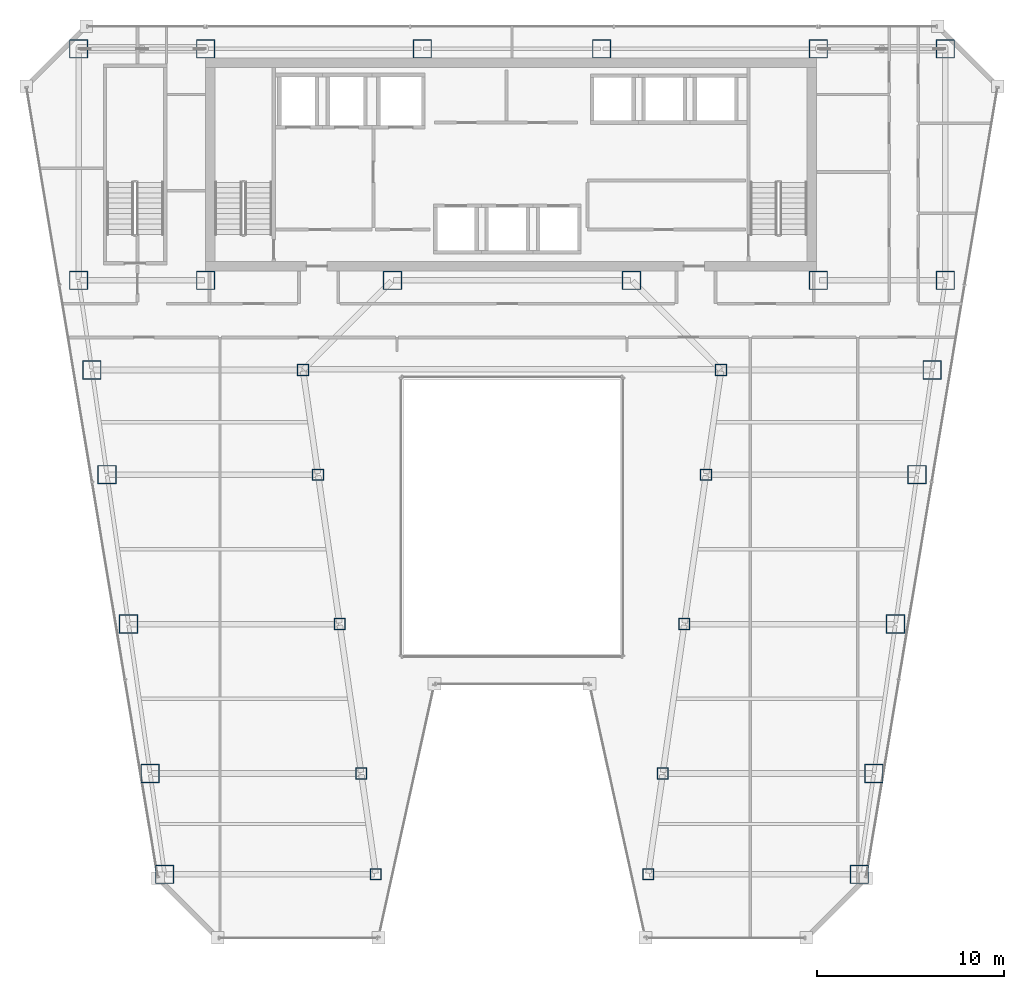
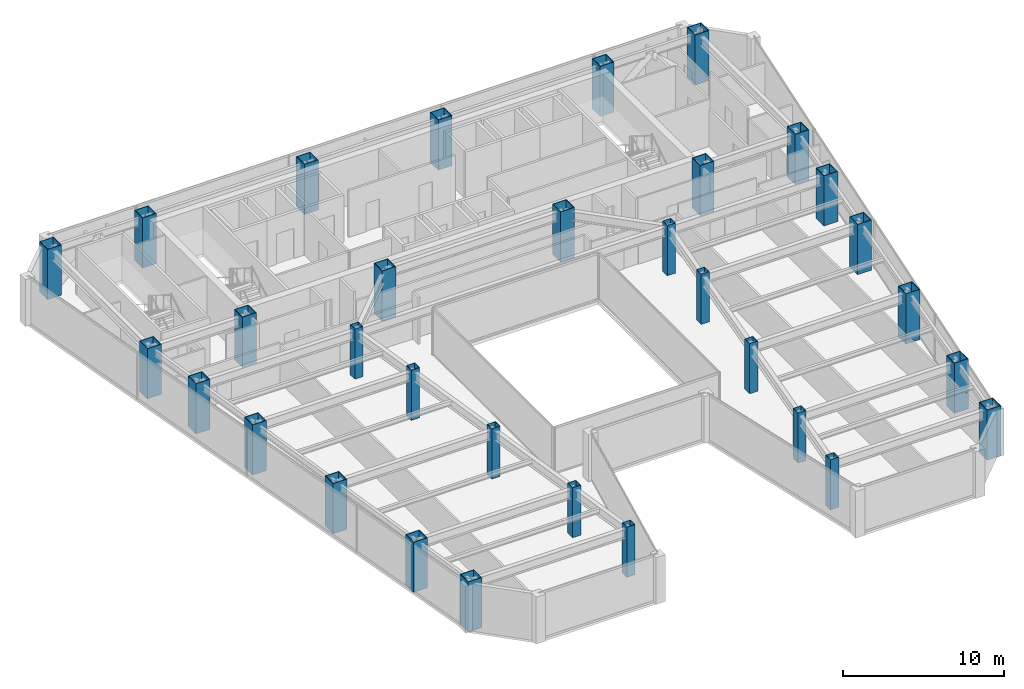
# One storey, part 1 of 36: 32 columns.
"""IFC4 building model written with IfcOpenShell, lengths in metres."""

from ifc_helpers import new_model, si_unit, direction, frame, origin, origin_2d, place, context, subcontext, project, spatial, hollow_rectangle, extrude, material, material_profile, profile_set, type_object, element, save


model = new_model("IFC4")

# Units and contexts
model_context = context("Model", 3, precision=1e-05, world=origin(), true_north=direction((0.0, 1.0)))
body_context = subcontext(model_context, "Body", "Model", "MODEL_VIEW")
ifc_project = project(units=[si_unit("LENGTHUNIT", "METRE"), si_unit("AREAUNIT", "SQUARE_METRE"), si_unit("VOLUMEUNIT", "CUBIC_METRE"), si_unit("PLANEANGLEUNIT", "RADIAN"), si_unit("MASSUNIT", "GRAM", prefix="KILO")], contexts=[model_context])

# Site, building, storey
site_placement = place(None, origin())
site = spatial("IfcSite", under=ifc_project, at=site_placement, CompositionType="ELEMENT")
building_placement = place(site_placement, origin())
building = spatial("IfcBuilding", under=site, at=building_placement, Name="Saevonmaru Cultural Tower", CompositionType="ELEMENT")
storey_placement = place(building_placement, frame((0.0, 0.0, 152.39990234375)))
storey = spatial("IfcBuildingStorey", under=building, at=storey_placement, Name="L33", CompositionType="ELEMENT", Elevation=152.39990234375)

# Columns
ifc_material_1 = material(Name="Steel SM420", Category="steel")
ifc_material_profile_1 = material_profile(ifc_material_1, hollow_rectangle(XDim=1.0, YDim=1.0, WallThickness=0.044921875, at=origin_2d()), Name="BOX-1000x1000x45")
ifc_profile_set_1 = profile_set([ifc_material_profile_1], Name="Steel SM420")
column_type_1 = type_object("IfcColumnType", Name="COL-BOX-1000", PredefinedType="COLUMN", material=ifc_profile_set_1)
for number, where, z_axis, x_axis, name in (
    (1, (6.800048828125, 54.800048828125, 0.0), (0.0, 0.0, 1.0), (1.0, 0.0, 0.0), "L33 Column TC-N1N"),
    (2, (13.60009765625, 54.800048828125, 0.0), (0.0, 0.0, 1.0), (1.0, 0.0, 0.0), "L33 Column TC-N2N"),
    (3, (25.199951171875, 54.800048828125, 0.0), (0.0, 0.0, 1.0), (1.0, 0.0, 0.0), "L33 Column TC-N3N"),
    (4, (34.800048828125, 54.800048828125, 0.0), (0.0, 0.0, 1.0), (1.0, 0.0, 0.0), "L33 Column TC-N4N"),
    (5, (46.39990234375, 54.800048828125, 0.0), (0.0, 0.0, 1.0), (1.0, 0.0, 0.0), "L33 Column TC-N5N"),
    (6, (53.199951171875, 54.800048828125, 0.0), (0.0, 0.0, 1.0), (1.0, 0.0, 0.0), "L33 Column TC-N6N"),
    (7, (6.800048828125, 42.39990234375, 0.0), (0.0, 0.0, 1.0), (1.0, 0.0, 0.0), "L33 Column TC-S1C"),
    (8, (13.60009765625, 42.39990234375, 0.0), (0.0, 0.0, 1.0), (1.0, 0.0, 0.0), "L33 Column TC-S2C"),
    (9, (23.60009765625, 42.39990234375, 0.0), (0.0, 0.0, 1.0), (1.0, 0.0, 0.0), "L33 Column TC-S3C"),
    (10, (36.39990234375, 42.39990234375, 0.0), (0.0, 0.0, 1.0), (1.0, 0.0, 0.0), "L33 Column TC-S4C"),
    (11, (46.39990234375, 42.39990234375, 0.0), (0.0, 0.0, 1.0), (1.0, 0.0, 0.0), "L33 Column TC-S5C"),
    (12, (53.199951171875, 42.39990234375, 0.0), (0.0, 0.0, 1.0), (1.0, 0.0, 0.0), "L33 Column TC-S6C"),
    (13, (11.407958984375, 10.60009765625, 0.0), (0.0, 0.0, 1.0), (1.0, 0.0, 0.0), "L33 Column TC-WO-Y106"),
    (14, (48.592041015625, 10.60009765625, 0.0), (0.0, 0.0, 1.0), (1.0, 0.0, 0.0), "L33 Column TC-EO-Y106"),
    (15, (10.6279296875, 16.0, 0.0), (0.0, 0.0, 1.0), (1.0, 0.0, 0.0), "L33 Column TC-WO-Y160"),
    (16, (49.3720703125, 16.0, 0.0), (0.0, 0.0, 1.0), (1.0, 0.0, 0.0), "L33 Column TC-EO-Y160"),
    (17, (9.471923828125, 24.0, 0.0), (0.0, 0.0, 1.0), (1.0, 0.0, 0.0), "L33 Column TC-WO-Y240"),
    (18, (50.528076171875, 24.0, 0.0), (0.0, 0.0, 1.0), (1.0, 0.0, 0.0), "L33 Column TC-EO-Y240"),
    (19, (8.31689453125, 32.0, 0.0), (0.0, 0.0, 1.0), (1.0, 0.0, 0.0), "L33 Column TC-WO-Y320"),
    (20, (51.68310546875, 32.0, 0.0), (0.0, 0.0, 1.0), (1.0, 0.0, 0.0), "L33 Column TC-EO-Y320"),
    (21, (7.508056640625, 37.60009765625, 0.0), (0.0, 0.0, 1.0), (1.0, 0.0, 0.0), "L33 Column TC-WO-Y376"),
    (22, (52.491943359375, 37.60009765625, 0.0), (0.0, 0.0, 1.0), (1.0, 0.0, 0.0), "L33 Column TC-EO-Y376"),
):
    element("IfcColumn", number, at=place(storey_placement, frame(where, z_axis=z_axis, x_axis=x_axis)), inside=storey, type_object=column_type_1, Name=name, PredefinedType="COLUMN", context=body_context, shape_type="SweptSolid", body=[
        extrude(hollow_rectangle(XDim=1.0, YDim=1.0, WallThickness=0.044921875, at=origin_2d()), origin(), (0.0, 0.0, 1.0), 3.800048828125),
    ])
ifc_material_2 = material(Name="Steel SM355", Category="steel")
ifc_material_profile_2 = material_profile(ifc_material_2, hollow_rectangle(XDim=0.60009765625, YDim=0.60009765625, WallThickness=0.028076171875, at=origin_2d()), Name="BOX-600x600x28")
ifc_profile_set_2 = profile_set([ifc_material_profile_2], Name="Steel SM355")
column_type_2 = type_object("IfcColumnType", Name="COL-BOX-600", PredefinedType="COLUMN", material=ifc_profile_set_2)
for number, where, z_axis, x_axis, name in (
    (23, (22.7080078125, 10.60009765625, 0.0), (0.0, 0.0, 1.0), (1.0, 0.0, 0.0), "L33 Column TC-WI-Y106"),
    (24, (37.2919921875, 10.60009765625, 0.0), (0.0, 0.0, 1.0), (1.0, 0.0, 0.0), "L33 Column TC-EI-Y106"),
    (25, (21.927978515625, 16.0, 0.0), (0.0, 0.0, 1.0), (1.0, 0.0, 0.0), "L33 Column TC-WI-Y160"),
    (26, (38.072021484375, 16.0, 0.0), (0.0, 0.0, 1.0), (1.0, 0.0, 0.0), "L33 Column TC-EI-Y160"),
    (27, (20.77197265625, 24.0, 0.0), (0.0, 0.0, 1.0), (1.0, 0.0, 0.0), "L33 Column TC-WI-Y240"),
    (28, (39.22802734375, 24.0, 0.0), (0.0, 0.0, 1.0), (1.0, 0.0, 0.0), "L33 Column TC-EI-Y240"),
    (29, (19.616943359375, 32.0, 0.0), (0.0, 0.0, 1.0), (1.0, 0.0, 0.0), "L33 Column TC-WI-Y320"),
    (30, (40.383056640625, 32.0, 0.0), (0.0, 0.0, 1.0), (1.0, 0.0, 0.0), "L33 Column TC-EI-Y320"),
    (31, (18.80810546875, 37.60009765625, 0.0), (0.0, 0.0, 1.0), (1.0, 0.0, 0.0), "L33 Column TC-WI-Y376"),
    (32, (41.19189453125, 37.60009765625, 0.0), (0.0, 0.0, 1.0), (1.0, 0.0, 0.0), "L33 Column TC-EI-Y376"),
):
    element("IfcColumn", number, at=place(storey_placement, frame(where, z_axis=z_axis, x_axis=x_axis)), inside=storey, type_object=column_type_2, Name=name, PredefinedType="COLUMN", context=body_context, shape_type="SweptSolid", body=[
        extrude(hollow_rectangle(XDim=0.60009765625, YDim=0.60009765625, WallThickness=0.028076171875, at=origin_2d()), origin(), (0.0, 0.0, 1.0), 3.800048828125),
    ])

save(model, "model.ifc")
